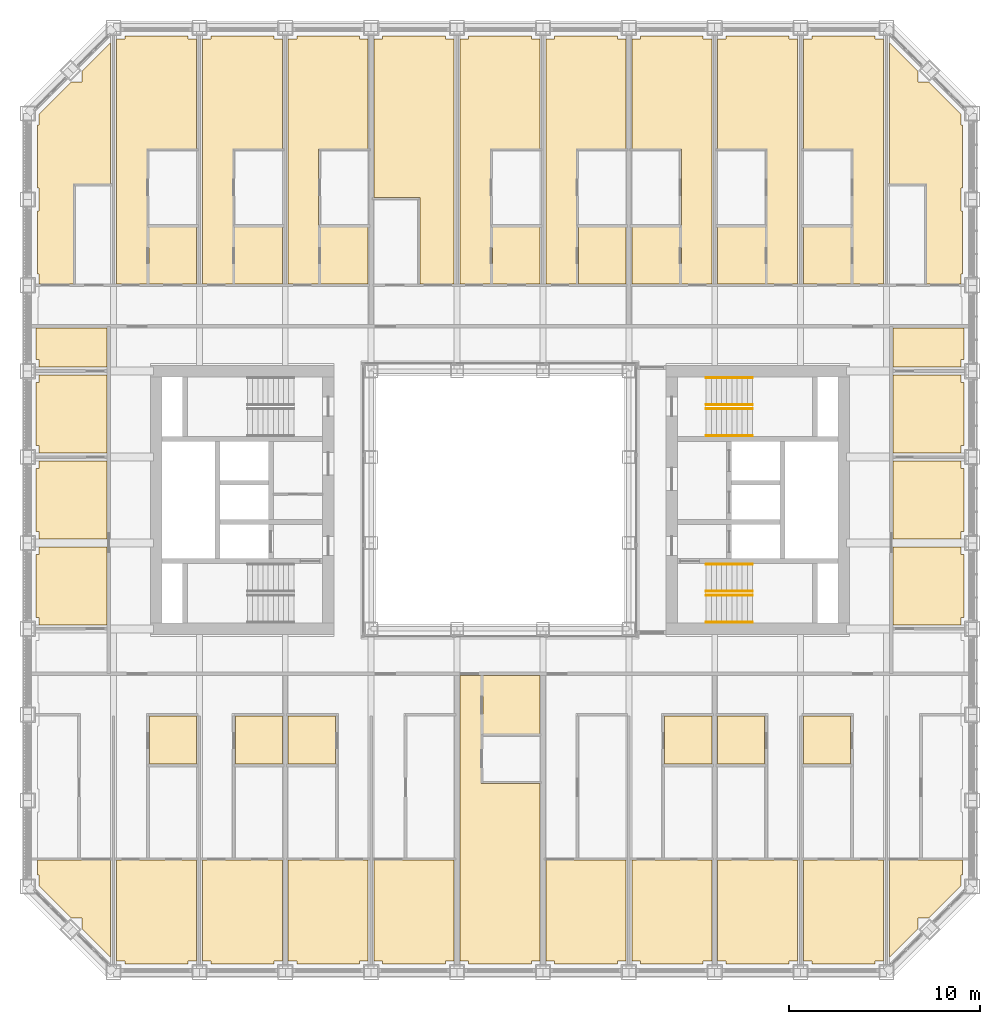
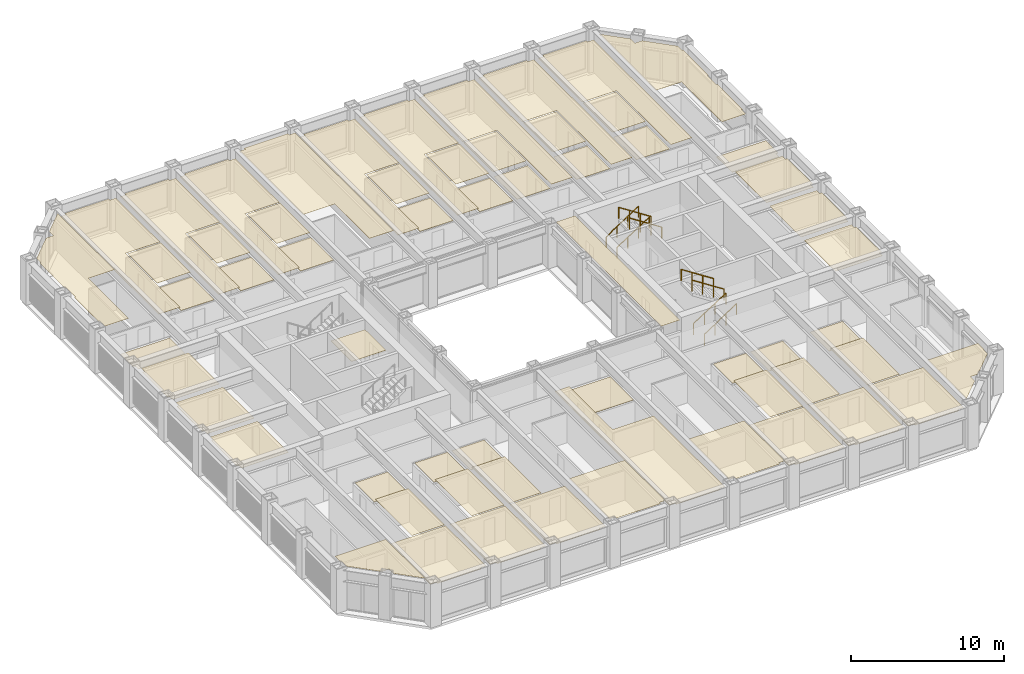
# One storey, part 20 of 21: 8 railings, 3 coverings.
"""IFC4 building model written with IfcOpenShell, lengths in metres."""

from ifc_helpers import new_model, si_unit, direction, frame, origin, origin_2d, place, context, subcontext, project, spatial, line, indexed_curve, circle, outline, extrude, material, layer, layer_set, type_object, element, save


model = new_model("IFC4")

# Units and contexts
model_context = context("Model", 3, precision=1e-05, world=origin(), true_north=direction((0.0, 1.0)))
body_context = subcontext(model_context, "Body", "Model", "MODEL_VIEW")
ifc_project = project(units=[si_unit("LENGTHUNIT", "METRE"), si_unit("AREAUNIT", "SQUARE_METRE"), si_unit("VOLUMEUNIT", "CUBIC_METRE"), si_unit("PLANEANGLEUNIT", "RADIAN"), si_unit("MASSUNIT", "GRAM", prefix="KILO")], contexts=[model_context])

# Site, building, storey
site_placement = place(None, origin())
site = spatial("IfcSite", under=ifc_project, at=site_placement, CompositionType="ELEMENT")
building_placement = place(site_placement, origin())
building = spatial("IfcBuilding", under=site, at=building_placement, Name="Msasa Ring Tower", CompositionType="ELEMENT")
storey_placement = place(building_placement, frame((0.0, 0.0, 75.5)))
storey = spatial("IfcBuildingStorey", under=building, at=storey_placement, Name="L19", CompositionType="ELEMENT", Elevation=75.5)

# Coverings
ifc_material_1 = material(Name="Gypsum plasterboard on a steel suspension grid", Category="steel")
ifc_layer_1 = layer(ifc_material_1, 0.014892578125)
ifc_layer_set_1 = layer_set([ifc_layer_1], Name="C1 SUSPENDED PLASTERBOARD CEILING 15")
covering_type_1 = type_object("IfcCoveringType", Name="C1 SUSPENDED PLASTERBOARD CEILING 15", PredefinedType="CEILING", material=ifc_layer_set_1)
covering_1_placement = place(storey_placement, frame((0.0, 0.0, 3.175048828125)))
element("IfcCovering", 1, at=covering_1_placement, inside=storey, type_object=covering_type_1, Name="Suspended Plasterboard Ceiling 15 public rooms L19", PredefinedType="CEILING", context=body_context, shape_type="SweptSolid", body=[
    extrude(outline(indexed_curve([(-24.23193359375, -18.867919921875), (-20.404296875, -18.867919921875), (-20.404296875, -23.95849609375), (-21.8994140625, -22.46337890625), (-21.8994140625, -21.8994140625), (-22.46337890625, -21.8994140625), (-24.1494140625, -20.21337890625), (-24.1494140625, -19.6494140625), (-24.23193359375, -19.6494140625)], segments=[line(1, 2, 3, 4, 5, 6, 7, 8, 9, 1)], self_intersect=False)), origin(), (0.0, 0.0, 1.0), 0.014892578125),
    extrude(outline(indexed_curve([(-22.3505859375, 11.31298828125), (-24.1494140625, 11.31298828125), (-24.1494140625, 11.8505859375), (-24.23193359375, 11.8505859375), (-24.23193359375, 15.1494140625), (-24.1494140625, 15.1494140625), (-24.1494140625, 16.3505859375), (-24.23193359375, 16.3505859375), (-24.23193359375, 19.6494140625), (-24.1494140625, 19.6494140625), (-24.1494140625, 20.21337890625), (-22.46337890625, 21.8994140625), (-21.8994140625, 21.8994140625), (-21.8994140625, 22.46337890625), (-20.404296875, 23.95849609375), (-20.404296875, 16.56298828125), (-22.3505859375, 16.56298828125)], segments=[line(1, 2, 3, 4, 5, 6, 7, 8, 9, 10, 11, 12, 13, 14, 15, 16, 17, 1)], self_intersect=False)), origin(), (0.0, 0.0, 1.0), 0.014892578125),
    extrude(outline(indexed_curve([(-2.404296875, -18.867919921875), (-2.404296875, -24.1494140625), (-2.8505859375, -24.1494140625), (-2.8505859375, -24.299560546875), (-6.1494140625, -24.299560546875), (-6.1494140625, -24.1494140625), (-6.595703125, -24.1494140625), (-6.595703125, -18.867919921875)], segments=[line(1, 2, 3, 4, 5, 6, 7, 8, 1)], self_intersect=False)), origin(), (0.0, 0.0, 1.0), 0.014892578125),
    extrude(outline(indexed_curve([(-2.8505859375, 24.299560546875), (-2.8505859375, 24.1494140625), (-2.404296875, 24.1494140625), (-2.404296875, 11.31298828125), (-4.199462890625, 11.31298828125), (-4.199462890625, 15.843017578125), (-6.595703125, 15.843017578125), (-6.595703125, 24.1494140625), (-6.1494140625, 24.1494140625), (-6.1494140625, 24.299560546875)], segments=[line(1, 2, 3, 4, 5, 6, 7, 8, 9, 10, 1)], self_intersect=False)), origin(), (0.0, 0.0, 1.0), 0.014892578125),
    extrude(outline(indexed_curve([(6.595703125, -18.867919921875), (6.595703125, -24.1494140625), (6.1494140625, -24.1494140625), (6.1494140625, -24.299560546875), (2.8505859375, -24.299560546875), (2.8505859375, -24.1494140625), (2.404296875, -24.1494140625), (2.404296875, -18.867919921875)], segments=[line(1, 2, 3, 4, 5, 6, 7, 8, 1)], self_intersect=False)), origin(), (0.0, 0.0, 1.0), 0.014892578125),
    extrude(outline(indexed_curve([(7.280029296875, -6.849609375), (7.280029296875, 6.849609375), (8.699462890625, 6.849609375), (8.699462890625, -6.849609375)], segments=[line(1, 2, 3, 4, 1)], self_intersect=False)), origin(), (0.0, 0.0, 1.0), 0.014892578125),
    extrude(outline(indexed_curve([(24.23193359375, -18.867919921875), (24.23193359375, -19.6494140625), (24.1494140625, -19.6494140625), (24.1494140625, -20.21337890625), (22.46337890625, -21.8994140625), (21.8994140625, -21.8994140625), (21.8994140625, -22.46337890625), (20.404296875, -23.95849609375), (20.404296875, -18.867919921875)], segments=[line(1, 2, 3, 4, 5, 6, 7, 8, 9, 1)], self_intersect=False)), origin(), (0.0, 0.0, 1.0), 0.014892578125),
    extrude(outline(indexed_curve([(21.8994140625, 22.46337890625), (21.8994140625, 21.8994140625), (22.46337890625, 21.8994140625), (24.1494140625, 20.21337890625), (24.1494140625, 19.6494140625), (24.23193359375, 19.6494140625), (24.23193359375, 16.3505859375), (24.1494140625, 16.3505859375), (24.1494140625, 15.1494140625), (24.23193359375, 15.1494140625), (24.23193359375, 11.8505859375), (24.1494140625, 11.8505859375), (24.1494140625, 11.31298828125), (22.3505859375, 11.31298828125), (22.3505859375, 16.56298828125), (20.404296875, 16.56298828125), (20.404296875, 23.95849609375)], segments=[line(1, 2, 3, 4, 5, 6, 7, 8, 9, 10, 11, 12, 13, 14, 15, 16, 17, 1)], self_intersect=False)), origin(), (0.0, 0.0, 1.0), 0.014892578125),
])
covering_2_placement = place(storey_placement, frame((0.0, 0.0, 2.699951171875)))
element("IfcCovering", 2, at=covering_2_placement, inside=storey, type_object=covering_type_1, Name="Suspended Plasterboard Ceiling 15 L19", PredefinedType="CEILING", context=body_context, shape_type="SweptSolid", body=[
    extrude(outline(indexed_curve([(-24.299560546875, -2.8505859375), (-24.1494140625, -2.8505859375), (-24.1494140625, -2.460693359375), (-20.6005859375, -2.460693359375), (-20.6005859375, -6.539306640625), (-24.1494140625, -6.539306640625), (-24.1494140625, -6.1494140625), (-24.299560546875, -6.1494140625)], segments=[line(1, 2, 3, 4, 5, 6, 7, 8, 1)], self_intersect=False)), origin(), (0.0, 0.0, 1.0), 0.01513671875),
    extrude(outline(indexed_curve([(-24.299560546875, 1.6494140625), (-24.1494140625, 1.6494140625), (-24.1494140625, 2.039306640625), (-20.6005859375, 2.039306640625), (-20.6005859375, -2.039306640625), (-24.1494140625, -2.039306640625), (-24.1494140625, -1.6494140625), (-24.299560546875, -1.6494140625)], segments=[line(1, 2, 3, 4, 5, 6, 7, 8, 1)], self_intersect=False)), origin(), (0.0, 0.0, 1.0), 0.01513671875),
    extrude(outline(indexed_curve([(-24.299560546875, 6.1494140625), (-24.1494140625, 6.1494140625), (-24.1494140625, 6.539306640625), (-20.6005859375, 6.539306640625), (-20.6005859375, 2.460693359375), (-24.1494140625, 2.460693359375), (-24.1494140625, 2.8505859375), (-24.299560546875, 2.8505859375)], segments=[line(1, 2, 3, 4, 5, 6, 7, 8, 1)], self_intersect=False)), origin(), (0.0, 0.0, 1.0), 0.01513671875),
    extrude(outline(indexed_curve([(-15.904296875, -18.867919921875), (-15.904296875, -24.1494140625), (-16.3505859375, -24.1494140625), (-16.3505859375, -24.299560546875), (-19.6494140625, -24.299560546875), (-19.6494140625, -24.1494140625), (-20.095703125, -24.1494140625), (-20.095703125, -18.867919921875)], segments=[line(1, 2, 3, 4, 5, 6, 7, 8, 1)], self_intersect=False)), origin(), (0.0, 0.0, 1.0), 0.01513671875),
    extrude(outline(indexed_curve([(-16.3505859375, 24.299560546875), (-16.3505859375, 24.1494140625), (-15.904296875, 24.1494140625), (-15.904296875, 18.40087890625), (-18.50048828125, 18.40087890625), (-18.50048828125, 11.31298828125), (-20.095703125, 11.31298828125), (-20.095703125, 24.1494140625), (-19.6494140625, 24.1494140625), (-19.6494140625, 24.299560546875)], segments=[line(1, 2, 3, 4, 5, 6, 7, 8, 9, 10, 1)], self_intersect=False)), origin(), (0.0, 0.0, 1.0), 0.01513671875),
    extrude(outline(indexed_curve([(-15.904296875, 18.294921875), (-15.904296875, 14.430419921875), (-18.3994140625, 14.430419921875), (-18.3994140625, 18.294921875)], segments=[line(1, 2, 3, 4, 1)], self_intersect=False)), origin(), (0.0, 0.0, 1.0), 0.01513671875),
    extrude(outline(indexed_curve([(-15.904296875, -13.992919921875), (-15.904296875, -18.757080078125), (-18.369384765625, -18.757080078125), (-18.369384765625, -13.992919921875)], segments=[line(1, 2, 3, 4, 1)], self_intersect=False)), origin(), (0.0, 0.0, 1.0), 0.01513671875),
    extrude(outline(indexed_curve([(-15.1494140625, -24.299560546875), (-15.1494140625, -24.1494140625), (-15.595703125, -24.1494140625), (-15.595703125, -18.867919921875), (-11.404296875, -18.867919921875), (-11.404296875, -24.1494140625), (-11.8505859375, -24.1494140625), (-11.8505859375, -24.299560546875)], segments=[line(1, 2, 3, 4, 5, 6, 7, 8, 1)], self_intersect=False)), origin(), (0.0, 0.0, 1.0), 0.01513671875),
    extrude(outline(indexed_curve([(-11.8505859375, 24.299560546875), (-11.8505859375, 24.1494140625), (-11.404296875, 24.1494140625), (-11.404296875, 18.403564453125), (-14.00048828125, 18.403564453125), (-14.00048828125, 11.31298828125), (-15.595703125, 11.31298828125), (-15.595703125, 24.1494140625), (-15.1494140625, 24.1494140625), (-15.1494140625, 24.299560546875)], segments=[line(1, 2, 3, 4, 5, 6, 7, 8, 9, 10, 1)], self_intersect=False)), origin(), (0.0, 0.0, 1.0), 0.01513671875),
    extrude(outline(indexed_curve([(-11.404296875, 18.297607421875), (-11.404296875, 14.430419921875), (-13.8994140625, 14.430419921875), (-13.8994140625, 18.297607421875)], segments=[line(1, 2, 3, 4, 1)], self_intersect=False)), origin(), (0.0, 0.0, 1.0), 0.01513671875),
    extrude(outline(indexed_curve([(-11.404296875, -13.992919921875), (-11.404296875, -18.757080078125), (-13.869384765625, -18.757080078125), (-13.869384765625, -13.992919921875)], segments=[line(1, 2, 3, 4, 1)], self_intersect=False)), origin(), (0.0, 0.0, 1.0), 0.01513671875),
    extrude(outline(indexed_curve([(-9.300537109375, 3.074462890625), (-9.300537109375, 0.35546875), (-11.87451171875, 0.35546875), (-11.87451171875, 3.074462890625)], segments=[line(1, 2, 3, 4, 1)], self_intersect=False)), origin(), (0.0, 0.0, 1.0), 0.01513671875),
    extrude(outline(indexed_curve([(-10.6494140625, -24.299560546875), (-10.6494140625, -24.1494140625), (-11.095703125, -24.1494140625), (-11.095703125, -18.867919921875), (-6.904296875, -18.867919921875), (-6.904296875, -24.1494140625), (-7.3505859375, -24.1494140625), (-7.3505859375, -24.299560546875)], segments=[line(1, 2, 3, 4, 5, 6, 7, 8, 1)], self_intersect=False)), origin(), (0.0, 0.0, 1.0), 0.01513671875),
    extrude(outline(indexed_curve([(-8.630615234375, -13.992919921875), (-8.630615234375, -18.757080078125), (-11.095703125, -18.757080078125), (-11.095703125, -13.992919921875)], segments=[line(1, 2, 3, 4, 1)], self_intersect=False)), origin(), (0.0, 0.0, 1.0), 0.01513671875),
    extrude(outline(indexed_curve([(-7.3505859375, 24.299560546875), (-7.3505859375, 24.1494140625), (-6.904296875, 24.1494140625), (-6.904296875, 18.403564453125), (-9.50048828125, 18.403564453125), (-9.50048828125, 11.31298828125), (-11.095703125, 11.31298828125), (-11.095703125, 24.1494140625), (-10.6494140625, 24.1494140625), (-10.6494140625, 24.299560546875)], segments=[line(1, 2, 3, 4, 5, 6, 7, 8, 9, 10, 1)], self_intersect=False)), origin(), (0.0, 0.0, 1.0), 0.01513671875),
    extrude(outline(indexed_curve([(-6.904296875, 18.297607421875), (-6.904296875, 14.430419921875), (-9.3994140625, 14.430419921875), (-9.3994140625, 18.297607421875)], segments=[line(1, 2, 3, 4, 1)], self_intersect=False)), origin(), (0.0, 0.0, 1.0), 0.01513671875),
    extrude(outline(indexed_curve([(-1.00048828125, -9.200439453125), (-1.00048828125, -14.8505859375), (2.095703125, -14.8505859375), (2.095703125, -24.1494140625), (1.6494140625, -24.1494140625), (1.6494140625, -24.299560546875), (-1.6494140625, -24.299560546875), (-1.6494140625, -24.1494140625), (-2.095703125, -24.1494140625), (-2.095703125, -9.200439453125)], segments=[line(1, 2, 3, 4, 5, 6, 7, 8, 9, 10, 1)], self_intersect=False)), origin(), (0.0, 0.0, 1.0), 0.01513671875),
    extrude(outline(indexed_curve([(1.6494140625, 24.299560546875), (1.6494140625, 24.1494140625), (2.095703125, 24.1494140625), (2.095703125, 18.403564453125), (-0.50048828125, 18.403564453125), (-0.50048828125, 11.31298828125), (-2.095703125, 11.31298828125), (-2.095703125, 24.1494140625), (-1.6494140625, 24.1494140625), (-1.6494140625, 24.299560546875)], segments=[line(1, 2, 3, 4, 5, 6, 7, 8, 9, 10, 1)], self_intersect=False)), origin(), (0.0, 0.0, 1.0), 0.01513671875),
    extrude(outline(indexed_curve([(2.095703125, 18.297607421875), (2.095703125, 14.430419921875), (-0.3994140625, 14.430419921875), (-0.3994140625, 18.297607421875)], segments=[line(1, 2, 3, 4, 1)], self_intersect=False)), origin(), (0.0, 0.0, 1.0), 0.01513671875),
    extrude(outline(indexed_curve([(6.1494140625, 24.299560546875), (6.1494140625, 24.1494140625), (6.595703125, 24.1494140625), (6.595703125, 18.403564453125), (3.99951171875, 18.403564453125), (3.99951171875, 11.31298828125), (2.404296875, 11.31298828125), (2.404296875, 24.1494140625), (2.8505859375, 24.1494140625), (2.8505859375, 24.299560546875)], segments=[line(1, 2, 3, 4, 5, 6, 7, 8, 9, 10, 1)], self_intersect=False)), origin(), (0.0, 0.0, 1.0), 0.01513671875),
    extrude(outline(indexed_curve([(6.595703125, 18.297607421875), (6.595703125, 14.430419921875), (4.1005859375, 14.430419921875), (4.1005859375, 18.297607421875)], segments=[line(1, 2, 3, 4, 1)], self_intersect=False)), origin(), (0.0, 0.0, 1.0), 0.01513671875),
    extrude(outline(indexed_curve([(7.3505859375, -24.299560546875), (7.3505859375, -24.1494140625), (6.904296875, -24.1494140625), (6.904296875, -18.867919921875), (11.095703125, -18.867919921875), (11.095703125, -24.1494140625), (10.6494140625, -24.1494140625), (10.6494140625, -24.299560546875)], segments=[line(1, 2, 3, 4, 5, 6, 7, 8, 1)], self_intersect=False)), origin(), (0.0, 0.0, 1.0), 0.01513671875),
    extrude(outline(indexed_curve([(9.50048828125, 11.31298828125), (9.50048828125, 18.403564453125), (6.904296875, 18.403564453125), (6.904296875, 24.1494140625), (7.3505859375, 24.1494140625), (7.3505859375, 24.299560546875), (10.6494140625, 24.299560546875), (10.6494140625, 24.1494140625), (11.095703125, 24.1494140625), (11.095703125, 11.31298828125)], segments=[line(1, 2, 3, 4, 5, 6, 7, 8, 9, 10, 1)], self_intersect=False)), origin(), (0.0, 0.0, 1.0), 0.01513671875),
    extrude(outline(indexed_curve([(9.3994140625, 18.297607421875), (9.3994140625, 14.430419921875), (6.904296875, 14.430419921875), (6.904296875, 18.297607421875)], segments=[line(1, 2, 3, 4, 1)], self_intersect=False)), origin(), (0.0, 0.0, 1.0), 0.01513671875),
    extrude(outline(indexed_curve([(11.095703125, -13.992919921875), (11.095703125, -18.757080078125), (8.630615234375, -18.757080078125), (8.630615234375, -13.992919921875)], segments=[line(1, 2, 3, 4, 1)], self_intersect=False)), origin(), (0.0, 0.0, 1.0), 0.01513671875),
    extrude(outline(indexed_curve([(11.8505859375, -24.299560546875), (11.8505859375, -24.1494140625), (11.404296875, -24.1494140625), (11.404296875, -18.867919921875), (15.595703125, -18.867919921875), (15.595703125, -24.1494140625), (15.1494140625, -24.1494140625), (15.1494140625, -24.299560546875)], segments=[line(1, 2, 3, 4, 5, 6, 7, 8, 1)], self_intersect=False)), origin(), (0.0, 0.0, 1.0), 0.01513671875),
    extrude(outline(indexed_curve([(13.869384765625, -13.992919921875), (13.869384765625, -18.757080078125), (11.404296875, -18.757080078125), (11.404296875, -13.992919921875)], segments=[line(1, 2, 3, 4, 1)], self_intersect=False)), origin(), (0.0, 0.0, 1.0), 0.01513671875),
    extrude(outline(indexed_curve([(14.00048828125, 11.31298828125), (14.00048828125, 18.403564453125), (11.404296875, 18.403564453125), (11.404296875, 24.1494140625), (11.8505859375, 24.1494140625), (11.8505859375, 24.299560546875), (15.1494140625, 24.299560546875), (15.1494140625, 24.1494140625), (15.595703125, 24.1494140625), (15.595703125, 11.31298828125)], segments=[line(1, 2, 3, 4, 5, 6, 7, 8, 9, 10, 1)], self_intersect=False)), origin(), (0.0, 0.0, 1.0), 0.01513671875),
    extrude(outline(indexed_curve([(13.8994140625, 18.297607421875), (13.8994140625, 14.430419921875), (11.404296875, 14.430419921875), (11.404296875, 18.297607421875)], segments=[line(1, 2, 3, 4, 1)], self_intersect=False)), origin(), (0.0, 0.0, 1.0), 0.01513671875),
    extrude(outline(indexed_curve([(20.095703125, -18.867919921875), (20.095703125, -24.1494140625), (19.6494140625, -24.1494140625), (19.6494140625, -24.299560546875), (16.3505859375, -24.299560546875), (16.3505859375, -24.1494140625), (15.904296875, -24.1494140625), (15.904296875, -18.867919921875)], segments=[line(1, 2, 3, 4, 5, 6, 7, 8, 1)], self_intersect=False)), origin(), (0.0, 0.0, 1.0), 0.01513671875),
    extrude(outline(indexed_curve([(18.369384765625, -13.992919921875), (18.369384765625, -18.757080078125), (15.904296875, -18.757080078125), (15.904296875, -13.992919921875)], segments=[line(1, 2, 3, 4, 1)], self_intersect=False)), origin(), (0.0, 0.0, 1.0), 0.01513671875),
    extrude(outline(indexed_curve([(18.50048828125, 11.31298828125), (18.50048828125, 18.40087890625), (15.904296875, 18.40087890625), (15.904296875, 24.1494140625), (16.3505859375, 24.1494140625), (16.3505859375, 24.299560546875), (19.6494140625, 24.299560546875), (19.6494140625, 24.1494140625), (20.095703125, 24.1494140625), (20.095703125, 11.31298828125)], segments=[line(1, 2, 3, 4, 5, 6, 7, 8, 9, 10, 1)], self_intersect=False)), origin(), (0.0, 0.0, 1.0), 0.01513671875),
    extrude(outline(indexed_curve([(18.3994140625, 18.294921875), (18.3994140625, 14.430419921875), (15.904296875, 14.430419921875), (15.904296875, 18.294921875)], segments=[line(1, 2, 3, 4, 1)], self_intersect=False)), origin(), (0.0, 0.0, 1.0), 0.01513671875),
    extrude(outline(indexed_curve([(20.6005859375, -2.460693359375), (24.1494140625, -2.460693359375), (24.1494140625, -2.8505859375), (24.299560546875, -2.8505859375), (24.299560546875, -6.1494140625), (24.1494140625, -6.1494140625), (24.1494140625, -6.539306640625), (20.6005859375, -6.539306640625)], segments=[line(1, 2, 3, 4, 5, 6, 7, 8, 1)], self_intersect=False)), origin(), (0.0, 0.0, 1.0), 0.01513671875),
    extrude(outline(indexed_curve([(20.6005859375, 2.039306640625), (24.1494140625, 2.039306640625), (24.1494140625, 1.6494140625), (24.299560546875, 1.6494140625), (24.299560546875, -1.6494140625), (24.1494140625, -1.6494140625), (24.1494140625, -2.039306640625), (20.6005859375, -2.039306640625)], segments=[line(1, 2, 3, 4, 5, 6, 7, 8, 1)], self_intersect=False)), origin(), (0.0, 0.0, 1.0), 0.01513671875),
    extrude(outline(indexed_curve([(20.6005859375, 6.539306640625), (24.1494140625, 6.539306640625), (24.1494140625, 6.1494140625), (24.299560546875, 6.1494140625), (24.299560546875, 2.8505859375), (24.1494140625, 2.8505859375), (24.1494140625, 2.460693359375), (20.6005859375, 2.460693359375)], segments=[line(1, 2, 3, 4, 5, 6, 7, 8, 1)], self_intersect=False)), origin(), (0.0, 0.0, 1.0), 0.01513671875),
])
ifc_material_2 = material(Name="Moisture-resistant gypsum plasterboard on a steel suspension grid", Category="steel")
ifc_layer_2 = layer(ifc_material_2, 0.014892578125)
ifc_layer_set_2 = layer_set([ifc_layer_2], Name="C2 MOISTURE-RESISTANT PLASTERBOARD CEILING 15")
covering_type_2 = type_object("IfcCoveringType", Name="C2 MOISTURE-RESISTANT PLASTERBOARD CEILING 15", PredefinedType="CEILING", material=ifc_layer_set_2)
covering_3_placement = place(storey_placement, frame((0.0, 0.0, 2.39990234375)))
element("IfcCovering", 3, at=covering_3_placement, inside=storey, type_object=covering_type_2, Name="Moisture-Resistant Plasterboard Ceiling 15 L19", PredefinedType="CEILING", context=body_context, shape_type="SweptSolid", body=[
    extrude(outline(indexed_curve([(-20.6005859375, 6.960693359375), (-24.1494140625, 6.960693359375), (-24.1494140625, 7.3505859375), (-24.299560546875, 7.3505859375), (-24.299560546875, 8.99951171875), (-20.6005859375, 8.99951171875)], segments=[line(1, 2, 3, 4, 5, 6, 1)], self_intersect=False)), origin(), (0.0, 0.0, 1.0), 0.01513671875),
    extrude(outline(indexed_curve([(-18.3994140625, 14.299560546875), (-15.904296875, 14.299560546875), (-15.904296875, 11.31298828125), (-18.3994140625, 11.31298828125)], segments=[line(1, 2, 3, 4, 1)], self_intersect=False)), origin(), (0.0, 0.0, 1.0), 0.01513671875),
    extrude(outline(indexed_curve([(-18.369384765625, -11.318115234375), (-15.904296875, -11.318115234375), (-15.904296875, -13.83203125), (-18.369384765625, -13.83203125)], segments=[line(1, 2, 3, 4, 1)], self_intersect=False)), origin(), (0.0, 0.0, 1.0), 0.01513671875),
    extrude(outline(indexed_curve([(-13.8994140625, 14.299560546875), (-11.404296875, 14.299560546875), (-11.404296875, 11.31298828125), (-13.8994140625, 11.31298828125)], segments=[line(1, 2, 3, 4, 1)], self_intersect=False)), origin(), (0.0, 0.0, 1.0), 0.01513671875),
    extrude(outline(indexed_curve([(-13.869384765625, -11.318115234375), (-11.404296875, -11.318115234375), (-11.404296875, -13.83203125), (-13.869384765625, -13.83203125)], segments=[line(1, 2, 3, 4, 1)], self_intersect=False)), origin(), (0.0, 0.0, 1.0), 0.01513671875),
    extrude(outline(indexed_curve([(-8.630615234375, -11.318115234375), (-8.630615234375, -13.83203125), (-11.095703125, -13.83203125), (-11.095703125, -11.318115234375)], segments=[line(1, 2, 3, 4, 1)], self_intersect=False)), origin(), (0.0, 0.0, 1.0), 0.01513671875),
    extrude(outline(indexed_curve([(-9.3994140625, 14.299560546875), (-6.904296875, 14.299560546875), (-6.904296875, 11.31298828125), (-9.3994140625, 11.31298828125)], segments=[line(1, 2, 3, 4, 1)], self_intersect=False)), origin(), (0.0, 0.0, 1.0), 0.01513671875),
    extrude(outline(indexed_curve([(-0.8994140625, -9.200439453125), (2.095703125, -9.200439453125), (2.095703125, -12.24951171875), (-0.8994140625, -12.24951171875)], segments=[line(1, 2, 3, 4, 1)], self_intersect=False)), origin(), (0.0, 0.0, 1.0), 0.01513671875),
    extrude(outline(indexed_curve([(-0.3994140625, 14.299560546875), (2.095703125, 14.299560546875), (2.095703125, 11.31298828125), (-0.3994140625, 11.31298828125)], segments=[line(1, 2, 3, 4, 1)], self_intersect=False)), origin(), (0.0, 0.0, 1.0), 0.01513671875),
    extrude(outline(indexed_curve([(4.1005859375, 14.299560546875), (6.595703125, 14.299560546875), (6.595703125, 11.31298828125), (4.1005859375, 11.31298828125)], segments=[line(1, 2, 3, 4, 1)], self_intersect=False)), origin(), (0.0, 0.0, 1.0), 0.01513671875),
    extrude(outline(indexed_curve([(9.3994140625, 14.299560546875), (9.3994140625, 11.31298828125), (6.904296875, 11.31298828125), (6.904296875, 14.299560546875)], segments=[line(1, 2, 3, 4, 1)], self_intersect=False)), origin(), (0.0, 0.0, 1.0), 0.01513671875),
    extrude(outline(indexed_curve([(8.630615234375, -11.318115234375), (11.095703125, -11.318115234375), (11.095703125, -13.83203125), (8.630615234375, -13.83203125)], segments=[line(1, 2, 3, 4, 1)], self_intersect=False)), origin(), (0.0, 0.0, 1.0), 0.01513671875),
    extrude(outline(indexed_curve([(13.869384765625, -11.318115234375), (13.869384765625, -13.83203125), (11.404296875, -13.83203125), (11.404296875, -11.318115234375)], segments=[line(1, 2, 3, 4, 1)], self_intersect=False)), origin(), (0.0, 0.0, 1.0), 0.01513671875),
    extrude(outline(indexed_curve([(13.8994140625, 14.299560546875), (13.8994140625, 11.31298828125), (11.404296875, 11.31298828125), (11.404296875, 14.299560546875)], segments=[line(1, 2, 3, 4, 1)], self_intersect=False)), origin(), (0.0, 0.0, 1.0), 0.01513671875),
    extrude(outline(indexed_curve([(18.369384765625, -11.318115234375), (18.369384765625, -13.83203125), (15.904296875, -13.83203125), (15.904296875, -11.318115234375)], segments=[line(1, 2, 3, 4, 1)], self_intersect=False)), origin(), (0.0, 0.0, 1.0), 0.01513671875),
    extrude(outline(indexed_curve([(18.3994140625, 14.299560546875), (18.3994140625, 11.31298828125), (15.904296875, 11.31298828125), (15.904296875, 14.299560546875)], segments=[line(1, 2, 3, 4, 1)], self_intersect=False)), origin(), (0.0, 0.0, 1.0), 0.01513671875),
    extrude(outline(indexed_curve([(20.6005859375, 8.99951171875), (24.299560546875, 8.99951171875), (24.299560546875, 7.3505859375), (24.1494140625, 7.3505859375), (24.1494140625, 6.960693359375), (20.6005859375, 6.960693359375)], segments=[line(1, 2, 3, 4, 5, 6, 1)], self_intersect=False)), origin(), (0.0, 0.0, 1.0), 0.01513671875),
])

# Railings
ifc_material_3 = material(Name="Stainless steel", Category="steel")
railing_type = type_object("IfcRailingType", Name="HR1 HANDRAIL 900", PredefinedType="HANDRAIL", material=ifc_material_3)
for number, where, name in (
    (4, (10.800048828125, -6.39990234375, 0.175048828125), "Handrail stair SEA L19 1"),
    (5, (10.800048828125, -5.0, 0.175048828125), "Handrail stair SEA L19 2"),
):
    element("IfcRailing", number, at=place(storey_placement, frame(where)), inside=storey, type_object=railing_type, Name=name, PredefinedType="HANDRAIL", context=body_context, shape_type="SweptSolid", body=[
        extrude(circle(Radius=0.02392578125, at=origin_2d()), frame((0.0, 0.0, 0.8759765625), z_axis=(0.839153699163, 0.0, 0.543894354798), x_axis=(0.0, 1.0, 0.0)), (0.0, 0.0, 1.0), 2.895751953125),
        extrude(circle(Radius=0.02099609375, at=origin_2d()), origin(), (0.0, 0.0, 1.0), 0.851806640625),
        extrude(circle(Radius=0.02099609375, at=origin_2d()), frame((0.81005859375, 0.0, 0.52490234375)), (0.0, 0.0, 1.0), 0.851806640625),
        extrude(circle(Radius=0.02099609375, at=origin_2d()), frame((1.619873046875, 0.0, 1.050048828125)), (0.0, 0.0, 1.0), 0.851806640625),
        extrude(circle(Radius=0.02099609375, at=origin_2d()), frame((2.429931640625, 0.0, 1.574951171875)), (0.0, 0.0, 1.0), 0.851806640625),
    ])
for number, where, name in (
    (6, (13.22998046875, -4.77490234375, 1.925048828125), "Handrail stair SEA L19 3"),
    (7, (13.22998046875, -3.375, 1.925048828125), "Handrail stair SEA L19 4"),
):
    element("IfcRailing", number, at=place(storey_placement, frame(where)), inside=storey, type_object=railing_type, Name=name, PredefinedType="HANDRAIL", context=body_context, shape_type="SweptSolid", body=[
        extrude(circle(Radius=0.02392578125, at=origin_2d()), frame((0.0, 0.0, 0.8759765625), z_axis=(-0.839153699163, 0.0, 0.543894354798), x_axis=(0.0, -1.0, 0.0)), (0.0, 0.0, 1.0), 2.895751953125),
        extrude(circle(Radius=0.02099609375, at=origin_2d()), origin(), (0.0, 0.0, 1.0), 0.851806640625),
        extrude(circle(Radius=0.02099609375, at=origin_2d()), frame((-0.81005859375, 0.0, 0.52490234375)), (0.0, 0.0, 1.0), 0.851806640625),
        extrude(circle(Radius=0.02099609375, at=origin_2d()), frame((-1.619873046875, 0.0, 1.050048828125)), (0.0, 0.0, 1.0), 0.851806640625),
        extrude(circle(Radius=0.02099609375, at=origin_2d()), frame((-2.429931640625, 0.0, 1.574951171875)), (0.0, 0.0, 1.0), 0.851806640625),
    ])
for number, where, name in (
    (8, (10.800048828125, 5.0, 0.175048828125), "Handrail stair SEB L19 1"),
    (9, (10.800048828125, 6.39990234375, 0.175048828125), "Handrail stair SEB L19 2"),
):
    element("IfcRailing", number, at=place(storey_placement, frame(where)), inside=storey, type_object=railing_type, Name=name, PredefinedType="HANDRAIL", context=body_context, shape_type="SweptSolid", body=[
        extrude(circle(Radius=0.02392578125, at=origin_2d()), frame((0.0, 0.0, 0.8759765625), z_axis=(0.839153699163, 0.0, 0.543894354798), x_axis=(0.0, 1.0, 0.0)), (0.0, 0.0, 1.0), 2.895751953125),
        extrude(circle(Radius=0.02099609375, at=origin_2d()), origin(), (0.0, 0.0, 1.0), 0.851806640625),
        extrude(circle(Radius=0.02099609375, at=origin_2d()), frame((0.81005859375, 0.0, 0.52490234375)), (0.0, 0.0, 1.0), 0.851806640625),
        extrude(circle(Radius=0.02099609375, at=origin_2d()), frame((1.619873046875, 0.0, 1.050048828125)), (0.0, 0.0, 1.0), 0.851806640625),
        extrude(circle(Radius=0.02099609375, at=origin_2d()), frame((2.429931640625, 0.0, 1.574951171875)), (0.0, 0.0, 1.0), 0.851806640625),
    ])
for number, where, name in (
    (10, (13.22998046875, 3.375, 1.925048828125), "Handrail stair SEB L19 3"),
    (11, (13.22998046875, 4.77490234375, 1.925048828125), "Handrail stair SEB L19 4"),
):
    element("IfcRailing", number, at=place(storey_placement, frame(where)), inside=storey, type_object=railing_type, Name=name, PredefinedType="HANDRAIL", context=body_context, shape_type="SweptSolid", body=[
        extrude(circle(Radius=0.02392578125, at=origin_2d()), frame((0.0, 0.0, 0.8759765625), z_axis=(-0.839153699163, 0.0, 0.543894354798), x_axis=(0.0, -1.0, 0.0)), (0.0, 0.0, 1.0), 2.895751953125),
        extrude(circle(Radius=0.02099609375, at=origin_2d()), origin(), (0.0, 0.0, 1.0), 0.851806640625),
        extrude(circle(Radius=0.02099609375, at=origin_2d()), frame((-0.81005859375, 0.0, 0.52490234375)), (0.0, 0.0, 1.0), 0.851806640625),
        extrude(circle(Radius=0.02099609375, at=origin_2d()), frame((-1.619873046875, 0.0, 1.050048828125)), (0.0, 0.0, 1.0), 0.851806640625),
        extrude(circle(Radius=0.02099609375, at=origin_2d()), frame((-2.429931640625, 0.0, 1.574951171875)), (0.0, 0.0, 1.0), 0.851806640625),
    ])

save(model, "model.ifc")
